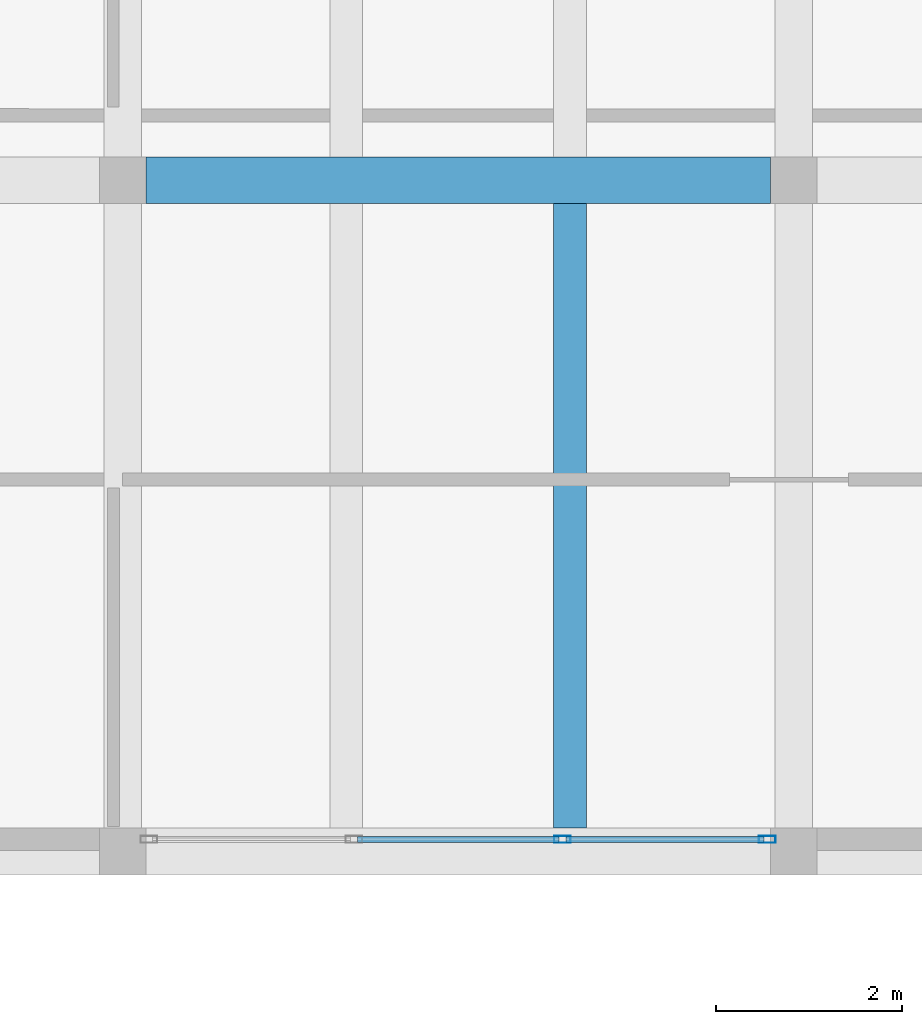
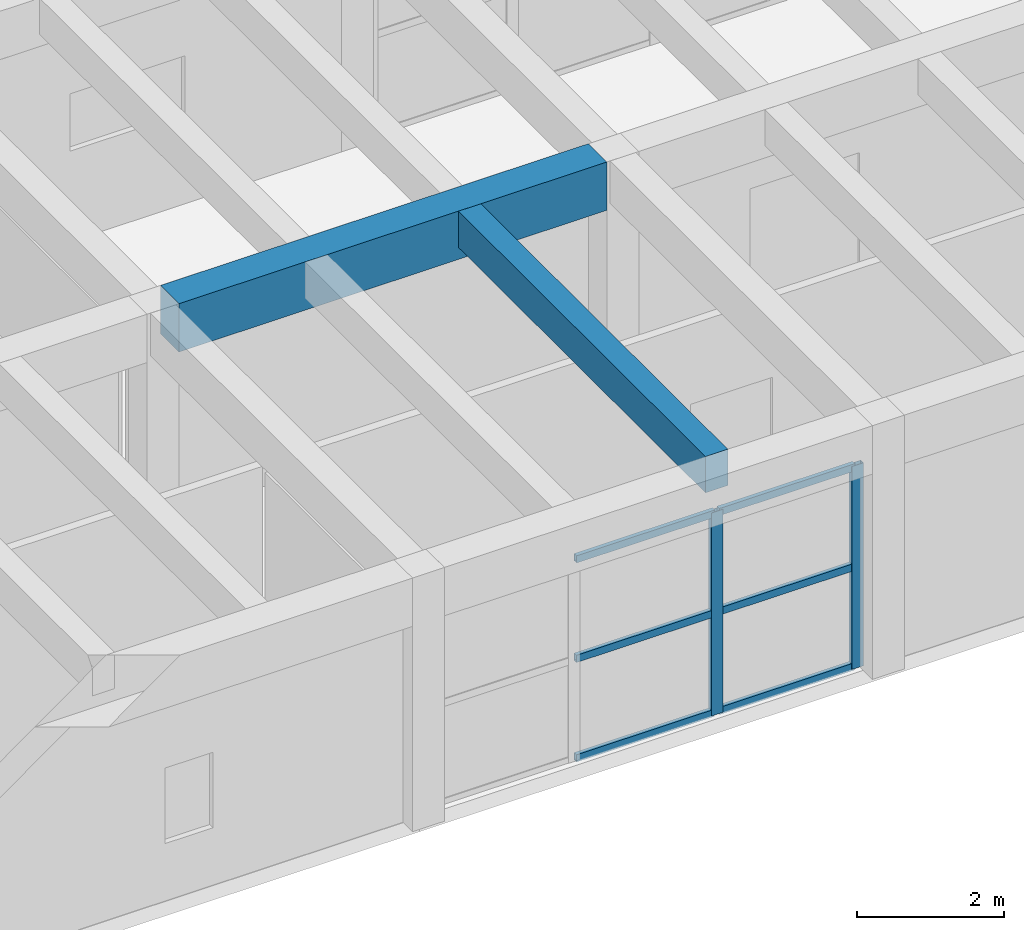
# One storey, part 108 of 153: 8 members, 2 beams, 1 element without a shape of its own.
"""IFC4 building model written with IfcOpenShell, lengths in metres."""

from ifc_helpers import new_model, si_unit, direction, frame, origin, origin_2d, place, context, subcontext, project, spatial, rectangle, hollow_rectangle, extrude, material, material_profile, profile_set, type_object, element, aggregate, save


model = new_model("IFC4")

# Units and contexts
model_context = context("Model", 3, precision=1e-05, world=origin(), true_north=direction((0.0, 1.0)))
body_context = subcontext(model_context, "Body", "Model", "MODEL_VIEW")
ifc_project = project(units=[si_unit("LENGTHUNIT", "METRE"), si_unit("AREAUNIT", "SQUARE_METRE"), si_unit("VOLUMEUNIT", "CUBIC_METRE"), si_unit("PLANEANGLEUNIT", "RADIAN"), si_unit("MASSUNIT", "GRAM", prefix="KILO")], contexts=[model_context])

# Site, building, storey
site_placement = place(None, origin())
site = spatial("IfcSite", under=ifc_project, at=site_placement, CompositionType="ELEMENT")
building_placement = place(site_placement, origin())
building = spatial("IfcBuilding", under=site, at=building_placement, Name="Bramvelor Terrace Health Centre", CompositionType="ELEMENT")
storey_placement = place(building_placement, frame((0.0, 0.0, 4.800048828125)))
storey = spatial("IfcBuildingStorey", under=building, at=storey_placement, Name="L02", CompositionType="ELEMENT", Elevation=4.800048828125)

# Beams
ifc_material_1 = material(Name="Concrete C40/50", Category="concrete")
ifc_material_profile_1 = material_profile(ifc_material_1, rectangle(XDim=0.5, YDim=0.800048828125, at=origin_2d()), Name="RC 500x800")
ifc_profile_set_1 = profile_set([ifc_material_profile_1], Name="Concrete C40/50")
beam_type_1 = type_object("IfcBeamType", Name="BM-RC-G800", PredefinedType="BEAM", material=ifc_profile_set_1)
beam_1_placement = place(storey_placement, frame((137.050048828125, 57.60009765625, 3.800048828125), z_axis=(1.0, 0.0, 0.0), x_axis=(0.0, 1.0, 0.0)))
element("IfcBeam", 1, at=beam_1_placement, inside=storey, type_object=beam_type_1, Name="L02 Floor Girder", PredefinedType="BEAM", context=body_context, shape_type="SweptSolid", body=[
    extrude(rectangle(XDim=0.5, YDim=0.800048828125, at=origin_2d()), origin(), (0.0, 0.0, 1.0), 6.699951171875),
])
ifc_material_2 = material(Name="Concrete C40/50", Category="concrete")
ifc_material_profile_2 = material_profile(ifc_material_2, rectangle(XDim=0.35009765625, YDim=0.60009765625, at=origin_2d()), Name="RC 350x600")
ifc_profile_set_2 = profile_set([ifc_material_profile_2], Name="Concrete C40/50")
beam_type_2 = type_object("IfcBeamType", Name="BM-RC-J600", PredefinedType="JOIST", material=ifc_profile_set_2)
beam_2_placement = place(storey_placement, frame((141.60009765625, 50.64990234375, 3.89990234375), z_axis=(0.0, 1.0, 0.0), x_axis=(-1.0, 0.0, 0.0)))
element("IfcBeam", 2, at=beam_2_placement, inside=storey, type_object=beam_type_2, Name="L02 Secondary Floor Joist", PredefinedType="JOIST", context=body_context, shape_type="SweptSolid", body=[
    extrude(rectangle(XDim=0.35009765625, YDim=0.60009765625, at=origin_2d()), origin(), (0.0, 0.0, 1.0), 6.7001953125),
])

# Curtain wall, members
ifc_material_3 = material(Name="Anodized aluminium and double low-E glass", Category="aluminium")
curtain_wall_type = type_object("IfcCurtainWallType", Name="CW-SYS-16", PredefinedType="NOTDEFINED", material=ifc_material_3)
curtain_wall_placement = place(storey_placement, origin())
curtain_wall = element("IfcCurtainWall", 3, at=curtain_wall_placement, inside=storey, type_object=curtain_wall_type, Name="L02 Unitized Curtain Wall 109", PredefinedType="NOTDEFINED")
ifc_material_4 = material(Name="Anodized aluminium 6063-T6", Category="aluminium")
ifc_material_profile_3 = material_profile(ifc_material_4, hollow_rectangle(XDim=0.074951171875, YDim=0.179931640625, WallThickness=0.00341796875, at=origin_2d()), Name="ALU-MUL 75x180x3.5")
ifc_profile_set_3 = profile_set([ifc_material_profile_3], Name="Anodized aluminium 6063-T6")
member_type_1 = type_object("IfcMemberType", Name="CW-MUL-65x180", PredefinedType="MULLION", material=ifc_profile_set_3)
member_1_placement = place(storey_placement, frame((143.717529296875, 50.530029296875, 0.0), z_axis=(0.0, 0.0, 1.0), x_axis=(0.0, -1.0, 0.0)))
member_1 = element("IfcMember", 4, at=member_1_placement, type_object=member_type_1, Name="CW-16 mullion 1", PredefinedType="MULLION", context=body_context, shape_type="SweptSolid", body=[
    extrude(hollow_rectangle(XDim=0.074951171875, YDim=0.179931640625, WallThickness=0.00341796875, at=origin_2d()), origin(), (0.0, 0.0, 1.0), 3.35986328125),
])
member_2_placement = place(storey_placement, frame((141.518310546875, 50.530029296875, 0.0), z_axis=(0.0, 0.0, 1.0), x_axis=(0.0, -1.0, 0.0)))
member_2 = element("IfcMember", 5, at=member_2_placement, type_object=member_type_1, Name="CW-16 mullion 2", PredefinedType="MULLION", context=body_context, shape_type="SweptSolid", body=[
    extrude(hollow_rectangle(XDim=0.074951171875, YDim=0.179931640625, WallThickness=0.00341796875, at=origin_2d()), origin(), (0.0, 0.0, 1.0), 3.35986328125),
])
ifc_material_5 = material(Name="Anodized aluminium 6063-T6", Category="aluminium")
ifc_material_profile_4 = material_profile(ifc_material_5, hollow_rectangle(XDim=0.06494140625, YDim=0.1201171875, WallThickness=0.0029296875, at=origin_2d()), Name="ALU-TRN 65x120x3.0")
ifc_profile_set_4 = profile_set([ifc_material_profile_4], Name="Anodized aluminium 6063-T6")
member_type_2 = type_object("IfcMemberType", Name="CW-TRN-65x150", PredefinedType="USERDEFINED", material=ifc_profile_set_4)
member_3_placement = place(storey_placement, frame((143.679931640625, 50.530029296875, 0.032470703125), z_axis=(-1.0, 0.0, 0.0), x_axis=(0.0, -1.0, 0.0)))
member_3 = element("IfcMember", 6, at=member_3_placement, type_object=member_type_2, Name="CW-16 transom 1.1", ObjectType="TRANSOM", PredefinedType="USERDEFINED", context=body_context, shape_type="SweptSolid", body=[
    extrude(hollow_rectangle(XDim=0.06494140625, YDim=0.1201171875, WallThickness=0.0029296875, at=origin_2d()), origin(), (0.0, 0.0, 1.0), 2.1240234375),
])
member_4_placement = place(storey_placement, frame((143.679931640625, 50.530029296875, 1.679931640625), z_axis=(-1.0, 0.0, 0.0), x_axis=(0.0, -1.0, 0.0)))
member_4 = element("IfcMember", 7, at=member_4_placement, type_object=member_type_2, Name="CW-16 transom 1.2", ObjectType="TRANSOM", PredefinedType="USERDEFINED", context=body_context, shape_type="SweptSolid", body=[
    extrude(hollow_rectangle(XDim=0.06494140625, YDim=0.1201171875, WallThickness=0.0029296875, at=origin_2d()), origin(), (0.0, 0.0, 1.0), 2.1240234375),
])
member_5_placement = place(storey_placement, frame((143.679931640625, 50.530029296875, 3.327392578125), z_axis=(-1.0, 0.0, 0.0), x_axis=(0.0, -1.0, 0.0)))
member_5 = element("IfcMember", 8, at=member_5_placement, type_object=member_type_2, Name="CW-16 transom 1.3", ObjectType="TRANSOM", PredefinedType="USERDEFINED", context=body_context, shape_type="SweptSolid", body=[
    extrude(hollow_rectangle(XDim=0.06494140625, YDim=0.1201171875, WallThickness=0.0029296875, at=origin_2d()), origin(), (0.0, 0.0, 1.0), 2.1240234375),
])
member_6_placement = place(storey_placement, frame((141.480712890625, 50.530029296875, 0.032470703125), z_axis=(-1.0, 0.0, 0.0), x_axis=(0.0, -1.0, 0.0)))
member_6 = element("IfcMember", 9, at=member_6_placement, type_object=member_type_2, Name="CW-16 transom 2.1", ObjectType="TRANSOM", PredefinedType="USERDEFINED", context=body_context, shape_type="SweptSolid", body=[
    extrude(hollow_rectangle(XDim=0.06494140625, YDim=0.1201171875, WallThickness=0.0029296875, at=origin_2d()), origin(), (0.0, 0.0, 1.0), 2.16162109375),
])
member_7_placement = place(storey_placement, frame((141.480712890625, 50.530029296875, 1.679931640625), z_axis=(-1.0, 0.0, 0.0), x_axis=(0.0, -1.0, 0.0)))
member_7 = element("IfcMember", 10, at=member_7_placement, type_object=member_type_2, Name="CW-16 transom 2.2", ObjectType="TRANSOM", PredefinedType="USERDEFINED", context=body_context, shape_type="SweptSolid", body=[
    extrude(hollow_rectangle(XDim=0.06494140625, YDim=0.1201171875, WallThickness=0.0029296875, at=origin_2d()), origin(), (0.0, 0.0, 1.0), 2.16162109375),
])
member_8_placement = place(storey_placement, frame((141.480712890625, 50.530029296875, 3.327392578125), z_axis=(-1.0, 0.0, 0.0), x_axis=(0.0, -1.0, 0.0)))
member_8 = element("IfcMember", 11, at=member_8_placement, type_object=member_type_2, Name="CW-16 transom 2.3", ObjectType="TRANSOM", PredefinedType="USERDEFINED", context=body_context, shape_type="SweptSolid", body=[
    extrude(hollow_rectangle(XDim=0.06494140625, YDim=0.1201171875, WallThickness=0.0029296875, at=origin_2d()), origin(), (0.0, 0.0, 1.0), 2.16162109375),
])
aggregate(curtain_wall, [member_1, member_2, member_3, member_4, member_5, member_6, member_7, member_8])

save(model, "model.ifc")
